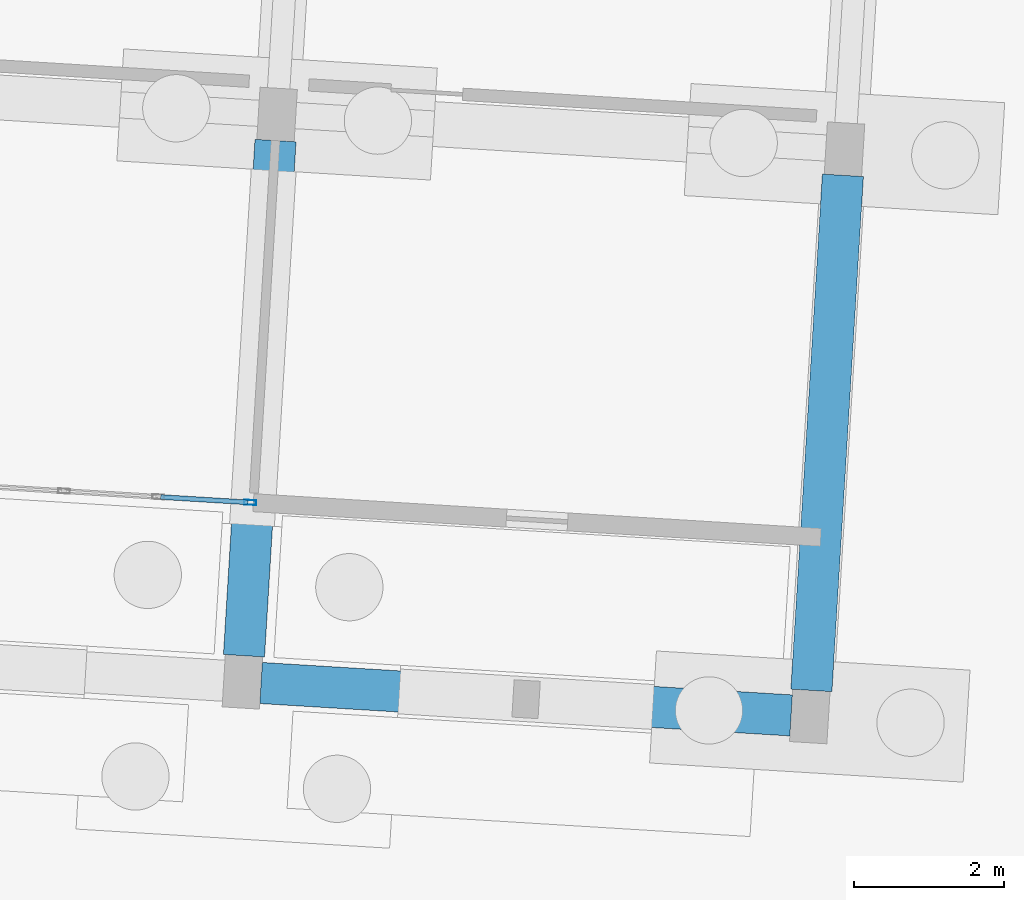
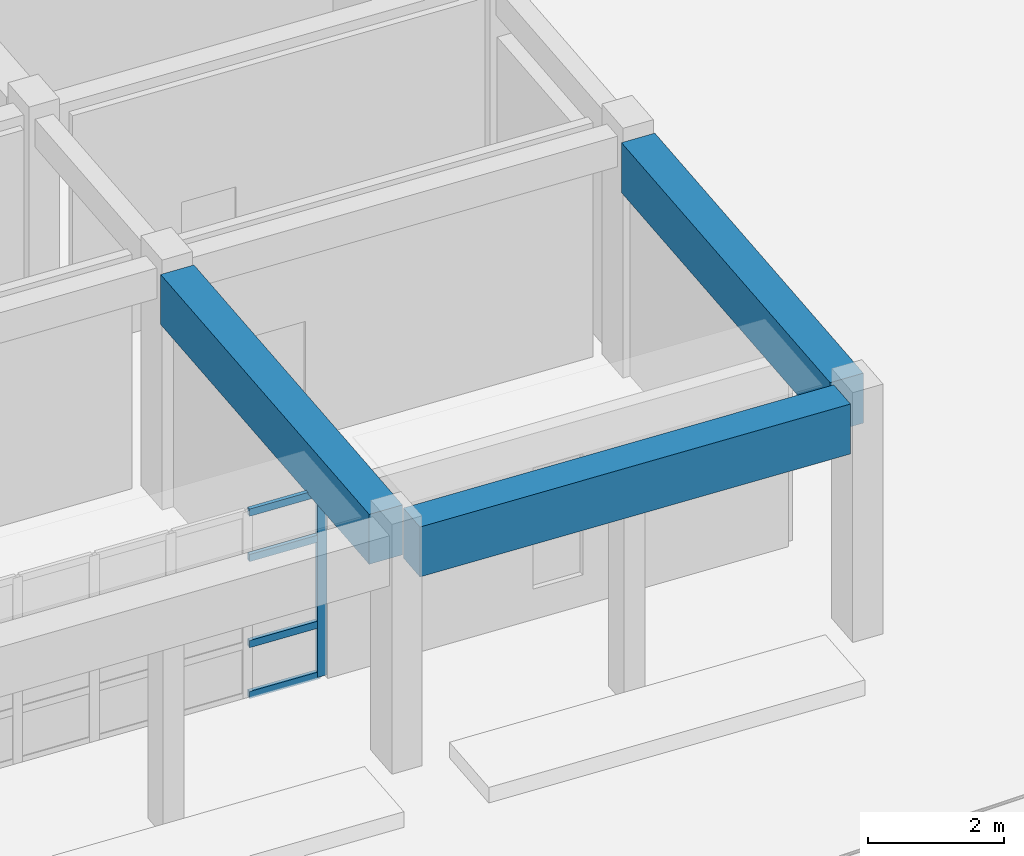
# One storey, part 53 of 154: 5 members, 3 beams, 1 element without a shape of its own.
"""IFC4 building model written with IfcOpenShell, lengths in metres."""

from ifc_helpers import new_model, si_unit, direction, frame, origin, origin_2d, place, context, subcontext, project, spatial, rectangle, hollow_rectangle, extrude, material, material_profile, profile_set, type_object, element, aggregate, save


model = new_model("IFC4")

# Units and contexts
model_context = context("Model", 3, precision=1e-05, world=origin(), true_north=direction((0.0, 1.0)))
body_context = subcontext(model_context, "Body", "Model", "MODEL_VIEW")
ifc_project = project(units=[si_unit("LENGTHUNIT", "METRE"), si_unit("AREAUNIT", "SQUARE_METRE"), si_unit("VOLUMEUNIT", "CUBIC_METRE"), si_unit("PLANEANGLEUNIT", "RADIAN"), si_unit("MASSUNIT", "GRAM", prefix="KILO")], contexts=[model_context])

# Site, building, storey
site_placement = place(None, origin())
site = spatial("IfcSite", under=ifc_project, at=site_placement, CompositionType="ELEMENT")
building_placement = place(site_placement, origin())
building = spatial("IfcBuilding", under=site, at=building_placement, Name="Kestramere Prow Commons", CompositionType="ELEMENT")
storey_placement = place(building_placement, origin())
storey = spatial("IfcBuildingStorey", under=building, at=storey_placement, Name="L00", CompositionType="ELEMENT", Elevation=0.0)

# Curtain wall, members
ifc_material_1 = material(Name="Anodised Aluminium and Low-E Glass", Category="aluminium")
curtain_wall_type = type_object("IfcCurtainWallType", Name="CW-07 Glazed Curtain Wall 7580x3350", PredefinedType="USERDEFINED", material=ifc_material_1)
curtain_wall_placement = place(storey_placement, origin())
curtain_wall = element("IfcCurtainWall", 1, at=curtain_wall_placement, inside=storey, type_object=curtain_wall_type, Name="Block C L00 South Colonnade Storefront 5", ObjectType="GLAZED CURTAIN WALL", PredefinedType="USERDEFINED")
ifc_material_2 = material(Name="Anodised Aluminium 6063-T6", Category="aluminium")
ifc_material_profile_1 = material_profile(ifc_material_2, hollow_rectangle(XDim=0.06494140625, YDim=0.159912109375, WallThickness=0.00390625, at=origin_2d()), Name="ALU-MUL 65x160")
ifc_profile_set_1 = profile_set([ifc_material_profile_1], Name="Anodised Aluminium 6063-T6")
member_type_1 = type_object("IfcMemberType", Name="CW-MUL-65x160", PredefinedType="MULLION", material=ifc_profile_set_1)
member_1_placement = place(storey_placement, frame((97.533203125, 46.578369140625, 0.0), z_axis=(0.0, 0.0, 1.0), x_axis=(-0.061048554987, -0.998134797477, 0.0)))
member_1 = element("IfcMember", 2, at=member_1_placement, type_object=member_type_1, Name="CW-07 mullion 1", PredefinedType="MULLION", context=body_context, shape_type="SweptSolid", body=[
    extrude(hollow_rectangle(XDim=0.06494140625, YDim=0.159912109375, WallThickness=0.00390625, at=origin_2d()), origin(), (0.0, 0.0, 1.0), 3.35009765625),
])
ifc_material_profile_2 = material_profile(ifc_material_2, hollow_rectangle(XDim=0.06494140625, YDim=0.1298828125, WallThickness=0.00390625, at=origin_2d()), Name="ALU-TRN 65x130")
ifc_profile_set_2 = profile_set([ifc_material_profile_2], Name="Anodised Aluminium 6063-T6")
member_type_2 = type_object("IfcMemberType", Name="CW-TRN-65x130", PredefinedType="USERDEFINED", material=ifc_profile_set_2)
member_2_placement = place(storey_placement, frame((97.500732421875, 46.580322265625, 0.032470703125), z_axis=(-0.998141187077, 0.060943996106, 0.0), x_axis=(-0.060943996106, -0.998141187077, 0.0)))
member_2 = element("IfcMember", 3, at=member_2_placement, type_object=member_type_2, Name="CW-07 transom 1.1", ObjectType="TRANSOM", PredefinedType="USERDEFINED", context=body_context, shape_type="SweptSolid", body=[
    extrude(hollow_rectangle(XDim=0.06494140625, YDim=0.1298828125, WallThickness=0.00390625, at=origin_2d()), origin(), (0.0, 0.0, 1.0), 1.165771484375),
])
member_3_placement = place(storey_placement, frame((97.500732421875, 46.580322265625, 0.949951171875), z_axis=(-0.998141187077, 0.060943996106, 0.0), x_axis=(-0.060943996106, -0.998141187077, 0.0)))
member_3 = element("IfcMember", 4, at=member_3_placement, type_object=member_type_2, Name="CW-07 transom 1.2", ObjectType="TRANSOM", PredefinedType="USERDEFINED", context=body_context, shape_type="SweptSolid", body=[
    extrude(hollow_rectangle(XDim=0.06494140625, YDim=0.1298828125, WallThickness=0.00390625, at=origin_2d()), origin(), (0.0, 0.0, 1.0), 1.165771484375),
])
member_4_placement = place(storey_placement, frame((97.500732421875, 46.580322265625, 2.5), z_axis=(-0.998141187077, 0.060943996106, 0.0), x_axis=(-0.060943996106, -0.998141187077, 0.0)))
member_4 = element("IfcMember", 5, at=member_4_placement, type_object=member_type_2, Name="CW-07 transom 1.3", ObjectType="TRANSOM", PredefinedType="USERDEFINED", context=body_context, shape_type="SweptSolid", body=[
    extrude(hollow_rectangle(XDim=0.06494140625, YDim=0.1298828125, WallThickness=0.00390625, at=origin_2d()), origin(), (0.0, 0.0, 1.0), 1.165771484375),
])
member_5_placement = place(storey_placement, frame((97.500732421875, 46.580322265625, 3.3173828125), z_axis=(-0.998141187077, 0.060943996106, 0.0), x_axis=(-0.060943996106, -0.998141187077, 0.0)))
member_5 = element("IfcMember", 6, at=member_5_placement, type_object=member_type_2, Name="CW-07 transom 1.4", ObjectType="TRANSOM", PredefinedType="USERDEFINED", context=body_context, shape_type="SweptSolid", body=[
    extrude(hollow_rectangle(XDim=0.06494140625, YDim=0.1298828125, WallThickness=0.00390625, at=origin_2d()), origin(), (0.0, 0.0, 1.0), 1.165771484375),
])
aggregate(curtain_wall, [member_1, member_2, member_3, member_4, member_5])

# Beams
ifc_material_3 = material(Name="Precast concrete C40/50", Category="concrete")
ifc_material_profile_3 = material_profile(ifc_material_3, rectangle(XDim=0.550048828125, YDim=0.89990234375, at=origin_2d()), Name="PC-TG 550x900")
ifc_profile_set_3 = profile_set([ifc_material_profile_3], Name="Precast concrete C40/50")
beam_type = type_object("IfcBeamType", Name="TG-01 PC-TG 550x900 (EX)", PredefinedType="BEAM", material=ifc_profile_set_3)
beam_placement = place(storey_placement, frame((97.6787109375, 44.164794921875, 3.800048828125), z_axis=(0.998135568114, -0.061035953884, 0.0), x_axis=(0.061035953884, 0.998135568114, 0.0)))
element("IfcBeam", 7, at=beam_placement, inside=storey, type_object=beam_type, Name="Block C L00 Longitudinal Beam 1-6", PredefinedType="BEAM", context=body_context, shape_type="SweptSolid", body=[
    extrude(rectangle(XDim=0.550048828125, YDim=0.89990234375, at=origin_2d()), origin(), (0.0, 0.0, 1.0), 7.099853515625),
])
for number, where, z_axis, x_axis, name in (
    (8, (97.450439453125, 44.529541015625, 3.800048828125), (0.061069777372, 0.998133499233, 0.0), (-0.998133499233, 0.061069777372, 0.0), "Block C L00 S Colonnade Transfer Girder 6"),
    (9, (105.036376953125, 44.0654296875, 3.800048828125), (0.061034526959, 0.998135655369, 0.0), (-0.998135655369, 0.061034526959, 0.0), "Block C L00 S Colonnade Transfer Girder 7"),
):
    element("IfcBeam", number, at=place(storey_placement, frame(where, z_axis=z_axis, x_axis=x_axis)), inside=storey, type_object=beam_type, Name=name, PredefinedType="BEAM", context=body_context, shape_type="SweptSolid", body=[
        extrude(rectangle(XDim=0.550048828125, YDim=0.89990234375, at=origin_2d()), origin(), (0.0, 0.0, 1.0), 6.900146484375),
    ])

save(model, "model.ifc")
